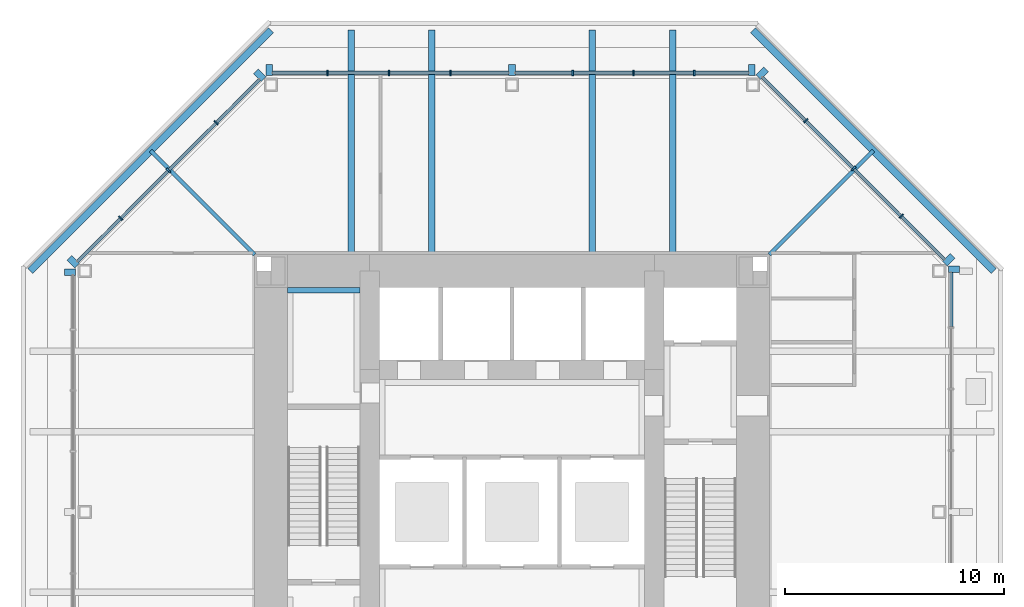
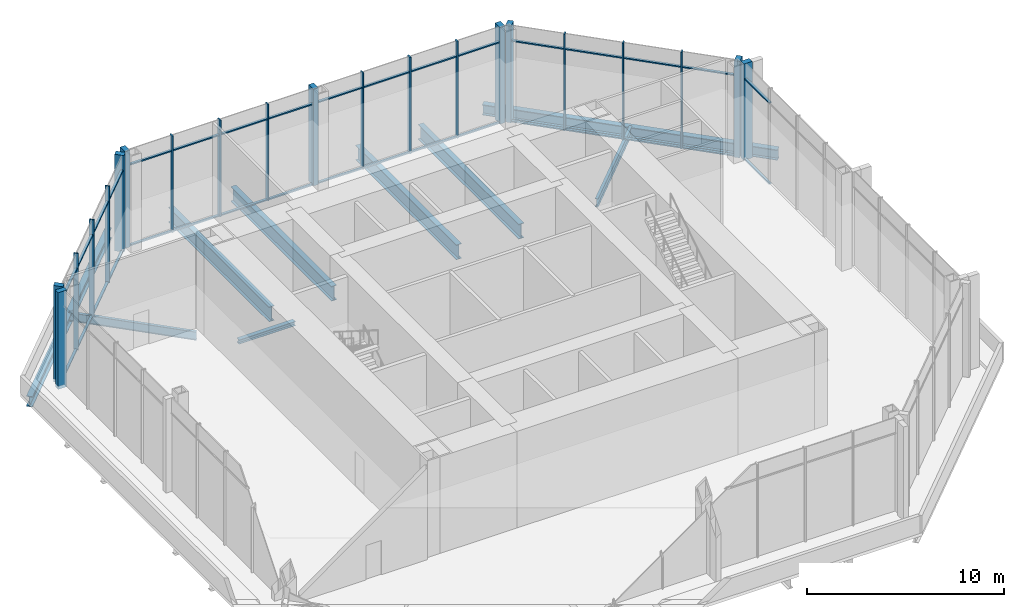
# One storey, part 4 of 10: 55 members, 9 beams, 5 elements without a shape of their own.
"""IFC4 building model written with IfcOpenShell, lengths in metres."""

import ifcopenshell
import ifcopenshell.guid

model = None  # the IFC model being written
_history = None  # IfcOwnerHistory: only IFC2X3 demands one
_inside = {}  # id of a spatial element -> (the spatial element, [elements in it])
_under = {}  # id of a project, library or spatial element -> (it, [spatial elements below it])
_declared = {}  # id of a project -> (the project, [libraries it declares])
_typed = {}  # id of a type object -> (the type object, [elements of that type])
_made_of = {}  # id of a material, layer set ... -> (it, [elements and type objects made of it])


def new_model(schema):
    """Start an empty IFC model of exactly this schema.

    Asked for "IFC4X3", IfcOpenShell would pick the latest addendum, in which some entities
    have other attributes; the version numbers below select the first issue.
    IFC2X3 requires an IfcOwnerHistory on every rooted entity: one is made here for all.
    """
    global model, _history
    if schema == "IFC4X3":
        model = ifcopenshell.file(schema_version=(4, 3, 0, 0))
    else:
        model = ifcopenshell.file(schema=schema)
    _inside.clear()
    _under.clear()
    _declared.clear()
    _typed.clear()
    _made_of.clear()
    _history = None
    if model.schema == "IFC2X3":
        org = make("IfcOrganization", Name="unknown")
        user = make(
            "IfcPersonAndOrganization",
            ThePerson=make("IfcPerson", FamilyName="unknown"),
            TheOrganization=org,
        )
        app = make(
            "IfcApplication",
            ApplicationDeveloper=org,
            Version="unknown",
            ApplicationFullName="unknown",
            ApplicationIdentifier="unknown",
        )
        _history = make(
            "IfcOwnerHistory",
            OwningUser=user,
            OwningApplication=app,
            ChangeAction="ADDED",
            CreationDate=0,
        )
    return model


def make(cls, **values):
    """One entity of the class cls with the attributes given. An attribute that is None is left unset."""
    return model.create_entity(
        cls, **{name: value for name, value in values.items() if value is not None}
    )


def rooted(cls, **values):
    """An entity with a GlobalId (a new one), such as an element, a storey or a relation."""
    return make(cls, GlobalId=ifcopenshell.guid.new(), OwnerHistory=_history, **values)


def si_unit(unit_type, name, prefix=None):
    """IfcSIUnit, for example si_unit("LENGTHUNIT", "METRE", prefix="MILLI")."""
    return make("IfcSIUnit", UnitType=unit_type, Prefix=prefix, Name=name)


def assignment(units):
    """IfcUnitAssignment: the units of a project."""
    return None if units is None else make("IfcUnitAssignment", Units=units)


def point(xyz):
    """IfcCartesianPoint."""
    return None if xyz is None else make("IfcCartesianPoint", Coordinates=xyz)


def direction(xyz):
    """IfcDirection."""
    return None if xyz is None else make("IfcDirection", DirectionRatios=xyz)


def frame(location, z_axis=None, x_axis=None):
    """IfcAxis2Placement3D, a coordinate frame: its origin and axes. An axis left out is left unset."""
    return make(
        "IfcAxis2Placement3D",
        Location=point(location),
        Axis=direction(z_axis),
        RefDirection=direction(x_axis),
    )


def frame_2d(location, x_axis=None):
    """IfcAxis2Placement2D, a coordinate frame in the plane: its origin and x axis."""
    return make(
        "IfcAxis2Placement2D", Location=point(location), RefDirection=direction(x_axis)
    )


def origin():
    """The frame at (0, 0, 0) with its axes left unset."""
    return frame((0.0, 0.0, 0.0))


def origin_2d():
    """The frame at (0, 0) in the plane with its x axis left unset."""
    return frame_2d((0.0, 0.0))


def place(relative_to, where):
    """IfcLocalPlacement: puts the frame where relative to a parent placement (None: the world)."""
    return make(
        "IfcLocalPlacement", PlacementRelTo=relative_to, RelativePlacement=where
    )


def context(
    kind, dimensions, precision=None, world=None, true_north=None, identifier=None
):
    """IfcGeometricRepresentationContext, for example the 3D "Model" context."""
    return make(
        "IfcGeometricRepresentationContext",
        ContextIdentifier=identifier,
        ContextType=kind,
        CoordinateSpaceDimension=dimensions,
        Precision=precision,
        WorldCoordinateSystem=world,
        TrueNorth=true_north,
    )


def subcontext(parent, identifier, kind, view, scale=None):
    """IfcGeometricRepresentationSubContext, for example "Body" below "Model"."""
    return make(
        "IfcGeometricRepresentationSubContext",
        ContextIdentifier=identifier,
        ContextType=kind,
        ParentContext=parent,
        TargetScale=scale,
        TargetView=view,
    )


def project(units=None, contexts=None):
    """IfcProject with its units and contexts."""
    return rooted(
        "IfcProject",
        Name="project",
        RepresentationContexts=contexts,
        UnitsInContext=assignment(units),
    )


def spatial(cls, under=None, at=None, **own):
    """A site, building, storey or space (cls), placed at a placement, below another one or the project."""
    s = rooted(cls, ObjectPlacement=at, **own)
    if under is not None:
        _under.setdefault(under.id(), (under, []))[1].append(s)
    return s


def profile(cls, at=None, kind="AREA", **sizes):
    """A parametric profile (cls). Its sizes go by their IFC names, for example OverallWidth=200.0."""
    return make(cls, ProfileType=kind, Position=at, **sizes)


def rectangle(**sizes):
    """IfcRectangleProfileDef."""
    return profile("IfcRectangleProfileDef", **sizes)


def i_section(**sizes):
    """IfcIShapeProfileDef."""
    return profile("IfcIShapeProfileDef", **sizes)


def extrude(swept, where, along, depth):
    """IfcExtrudedAreaSolid: the profile swept, set in the frame where, extruded along a direction by depth."""
    return make(
        "IfcExtrudedAreaSolid",
        SweptArea=swept,
        Position=where,
        ExtrudedDirection=direction(along),
        Depth=depth,
    )


def shape(context_of_items, identifier, shape_type, items):
    """IfcShapeRepresentation: the items that make up one representation, for example the "Body"."""
    return make(
        "IfcShapeRepresentation",
        ContextOfItems=context_of_items,
        RepresentationIdentifier=identifier,
        RepresentationType=shape_type,
        Items=items,
    )


def material(Name=None, Category=None):
    """IfcMaterial."""
    return make("IfcMaterial", Name=Name, Category=Category)


def material_profile(
    of_material, cross_section, Name=None, Category=None, Priority=None
):
    """IfcMaterialProfile: a cross section and its material."""
    return make(
        "IfcMaterialProfile",
        Name=Name,
        Material=of_material,
        Profile=cross_section,
        Priority=Priority,
        Category=Category,
    )


def profile_set(profiles, Name=None, composite=None):
    """IfcMaterialProfileSet."""
    return make(
        "IfcMaterialProfileSet",
        Name=Name,
        MaterialProfiles=profiles,
        CompositeProfile=composite,
    )


def made_of(thing, what):
    """Note that an element or type object is made of a material, layer set ...; save() writes the relation."""
    if what is not None:
        _made_of.setdefault(what.id(), (what, []))[1].append(thing)
    return thing


def type_object(cls, material=None, **own):
    """A type object (cls), such as IfcWallType, which elements share."""
    return made_of(rooted(cls, **own), material)


def element(
    cls,
    number,
    at=None,
    inside=None,
    cuts=None,
    type_object=None,
    material=None,
    context=None,
    identifier="Body",
    shape_type=None,
    held_by="IfcProductDefinitionShape",
    body=None,
    shapes=None,
    **own,
):
    """One element of the class cls, such as IfcWall. Its Tag is "e" and its number.

    at: its placement. inside: the storey or other place that contains it. cuts: it is an
    opening in that element (IfcRelVoidsElement). A single representation is given by context,
    identifier, shape_type and body (its items); several are given by shapes. held_by: the class
    of the entity that holds the representations. save() writes the other relations.
    """
    e = rooted(cls, Tag="e%d" % number, ObjectPlacement=at, **own)
    if body is not None:
        shapes = [shape(context, identifier, shape_type, body)]
    if shapes is not None:
        e.Representation = make(held_by, Representations=shapes)
    if inside is not None:
        _inside.setdefault(inside.id(), (inside, []))[1].append(e)
    if cuts is not None:
        rooted(
            "IfcRelVoidsElement", RelatingBuildingElement=cuts, RelatedOpeningElement=e
        )
    if type_object is not None:
        _typed.setdefault(type_object.id(), (type_object, []))[1].append(e)
    return made_of(e, material)


def aggregate(whole, parts):
    """IfcRelAggregates: a whole, such as a stair, and the parts it consists of."""
    return rooted("IfcRelAggregates", RelatingObject=whole, RelatedObjects=parts)


def save(model, path):
    """Write the relations noted so far, then the file.

    IfcRelAggregates (storeys below a building ...), IfcRelContainedInSpatialStructure (elements
    in a storey), IfcRelDefinesByType, IfcRelAssociatesMaterial and IfcRelDeclares: one each for
    every whole, place, type object, material and project.
    """
    for whole, parts in _under.values():
        aggregate(whole, parts)
    for where, things in _inside.values():
        rooted(
            "IfcRelContainedInSpatialStructure",
            RelatedElements=things,
            RelatingStructure=where,
        )
    for kind, things in _typed.values():
        rooted("IfcRelDefinesByType", RelatedObjects=things, RelatingType=kind)
    for what, things in _made_of.values():
        rooted("IfcRelAssociatesMaterial", RelatedObjects=things, RelatingMaterial=what)
    for by, libraries in _declared.values():
        rooted("IfcRelDeclares", RelatingContext=by, RelatedDefinitions=libraries)
    model.write(path)


model = new_model("IFC4")

# Units and contexts
model_context = context("Model", 3, precision=1e-05, world=origin(), true_north=direction((0.0, 1.0)))
body_context = subcontext(model_context, "Body", "Model", "MODEL_VIEW")
ifc_project = project(units=[si_unit("LENGTHUNIT", "METRE"), si_unit("AREAUNIT", "SQUARE_METRE"), si_unit("VOLUMEUNIT", "CUBIC_METRE"), si_unit("PLANEANGLEUNIT", "RADIAN"), si_unit("MASSUNIT", "GRAM", prefix="KILO")], contexts=[model_context])

# Site, building, storey
site_placement = place(None, origin())
site = spatial("IfcSite", under=ifc_project, at=site_placement, CompositionType="ELEMENT")
building_placement = place(site_placement, origin())
building = spatial("IfcBuilding", under=site, at=building_placement, Name="Trevanion Tower", CompositionType="ELEMENT")
storey_placement = place(building_placement, frame((0.0, 0.0, 184.699951171875)))
storey = spatial("IfcBuildingStorey", under=building, at=storey_placement, Name="L43", CompositionType="ELEMENT", Elevation=184.699951171875)

# Beams
ifc_material_1 = material(Name="Steel ASTM A992 Grade 50", Category="steel")
ifc_material_profile_1 = material_profile(ifc_material_1, i_section(OverallWidth=0.1650390625, OverallDepth=0.52587890625, WebThickness=0.0087890625, FlangeThickness=0.011474609375, at=origin_2d()), Name="W21X44")
ifc_profile_set_1 = profile_set([ifc_material_profile_1], Name="Steel ASTM A992 Grade 50")
beam_type_1 = type_object("IfcBeamType", Name="B10 W21X44", PredefinedType="BEAM", material=ifc_profile_set_1)
for number, where, z_axis, x_axis, name in (
    (1, (11.75, 11.75, -0.452880859375), (0.707106781187, 0.707106781187, 0.0), (-0.707106781187, 0.707106781187, 0.0), "B10 L43"),
    (2, (-11.75, 11.75, -0.452880859375), (-0.707106781187, 0.707106781187, 0.0), (-0.707106781187, -0.707106781187, 0.0), "B10 L43"),
):
    element("IfcBeam", number, at=place(storey_placement, frame(where, z_axis=z_axis, x_axis=x_axis)), inside=storey, type_object=beam_type_1, Name=name, PredefinedType="BEAM", context=body_context, shape_type="SweptSolid", body=[
        extrude(i_section(OverallWidth=0.1650390625, OverallDepth=0.52587890625, WebThickness=0.0087890625, FlangeThickness=0.011474609375, at=origin_2d()), origin(), (0.0, 0.0, 1.0), 6.717529296875),
    ])
ifc_material_2 = material(Name="Steel ASTM A992 Grade 50", Category="steel")
ifc_material_profile_2 = material_profile(ifc_material_2, i_section(OverallWidth=0.307373046875, OverallDepth=0.922119140625, WebThickness=0.018310546875, FlangeThickness=0.030029296875, at=origin_2d()), Name="W36X182")
ifc_profile_set_2 = profile_set([ifc_material_profile_2], Name="Steel ASTM A992 Grade 50")
beam_type_2 = type_object("IfcBeamType", Name="B9 W36X182", PredefinedType="BEAM", material=ifc_profile_set_2)
for number, where, z_axis, x_axis, name in (
    (3, (7.333251953125, 11.75, -0.65087890625), (0.0, 1.0, 0.0), (-1.0, 0.0, 0.0), "B9 L43"),
    (4, (3.666748046875, 11.75, -0.65087890625), (0.0, 1.0, 0.0), (-1.0, 0.0, 0.0), "B9 L43"),
    (5, (-3.666748046875, 11.75, -0.65087890625), (0.0, 1.0, 0.0), (-1.0, 0.0, 0.0), "B9 L43"),
    (6, (-7.333251953125, 11.75, -0.65087890625), (0.0, 1.0, 0.0), (-1.0, 0.0, 0.0), "B9 L43"),
):
    element("IfcBeam", number, at=place(storey_placement, frame(where, z_axis=z_axis, x_axis=x_axis)), inside=storey, type_object=beam_type_2, Name=name, PredefinedType="BEAM", context=body_context, shape_type="SweptSolid", body=[
        extrude(i_section(OverallWidth=0.307373046875, OverallDepth=0.922119140625, WebThickness=0.018310546875, FlangeThickness=0.030029296875, at=origin_2d()), origin(), (0.0, 0.0, 1.0), 10.25),
    ])

# Curtain wall, members
ifc_material_3 = material(Name="Aluminium and glass", Category="aluminium")
curtain_wall_type = type_object("IfcCurtainWallType", Name="CW3 curtain wall", PredefinedType="USERDEFINED", material=ifc_material_3)
curtain_wall_1_placement = place(storey_placement, origin())
curtain_wall_1 = element("IfcCurtainWall", 7, at=curtain_wall_1_placement, inside=storey, type_object=curtain_wall_type, Name="CW3 L43 1", ObjectType="UNITISED CURTAIN WALL", PredefinedType="USERDEFINED")
ifc_material_4 = material(Name="Aluminium extrusion, anodised bronze", Category="aluminium")
ifc_material_profile_3 = material_profile(ifc_material_4, rectangle(XDim=0.074951171875, YDim=0.25, at=origin_2d()), Name="CW3 mullion")
ifc_profile_set_3 = profile_set([ifc_material_profile_3], Name="Aluminium extrusion, anodised bronze")
member_type_1 = type_object("IfcMemberType", Name="CW3 mullion", PredefinedType="MULLION", material=ifc_profile_set_3)
member_1_placement = place(storey_placement, frame((17.775390625, 13.502197265625, -0.18994140625), z_axis=(0.0, 0.0, 1.0), x_axis=(-0.707106781187, 0.707106781187, 0.0)))
member_1 = element("IfcMember", 8, at=member_1_placement, type_object=member_type_1, Name="CW3 mullion 2", PredefinedType="MULLION", context=body_context, shape_type="SweptSolid", body=[
    extrude(rectangle(XDim=0.074951171875, YDim=0.25, at=origin_2d()), origin(), (0.0, 0.0, 1.0), 6.0),
])
member_2_placement = place(storey_placement, frame((15.593017578125, 15.684814453125, -0.18994140625), z_axis=(0.0, 0.0, 1.0), x_axis=(-0.707106781187, 0.707106781187, 0.0)))
member_2 = element("IfcMember", 9, at=member_2_placement, type_object=member_type_1, Name="CW3 mullion 3", PredefinedType="MULLION", context=body_context, shape_type="SweptSolid", body=[
    extrude(rectangle(XDim=0.074951171875, YDim=0.25, at=origin_2d()), origin(), (0.0, 0.0, 1.0), 6.0),
])
member_3_placement = place(storey_placement, frame((13.410400390625, 17.867431640625, -0.18994140625), z_axis=(0.0, 0.0, 1.0), x_axis=(-0.707106781187, 0.707106781187, 0.0)))
member_3 = element("IfcMember", 10, at=member_3_placement, type_object=member_type_1, Name="CW3 mullion 4", PredefinedType="MULLION", context=body_context, shape_type="SweptSolid", body=[
    extrude(rectangle(XDim=0.074951171875, YDim=0.25, at=origin_2d()), origin(), (0.0, 0.0, 1.0), 6.0),
])

curtain_wall_2_placement = place(storey_placement, origin())
curtain_wall_2 = element("IfcCurtainWall", 11, at=curtain_wall_2_placement, inside=storey, type_object=curtain_wall_type, Name="CW3 L43 2", ObjectType="UNITISED CURTAIN WALL", PredefinedType="USERDEFINED")
member_4_placement = place(storey_placement, frame((8.323486328125, 20.050048828125, -0.18994140625), z_axis=(0.0, 0.0, 1.0), x_axis=(-1.0, 0.0, 0.0)))
member_4 = element("IfcMember", 12, at=member_4_placement, type_object=member_type_1, Name="CW3 mullion 2", PredefinedType="MULLION", context=body_context, shape_type="SweptSolid", body=[
    extrude(rectangle(XDim=0.074951171875, YDim=0.25, at=origin_2d()), origin(), (0.0, 0.0, 1.0), 6.0),
])
member_5_placement = place(storey_placement, frame((5.548828125, 20.050048828125, -0.18994140625), z_axis=(0.0, 0.0, 1.0), x_axis=(-1.0, 0.0, 0.0)))
member_5 = element("IfcMember", 13, at=member_5_placement, type_object=member_type_1, Name="CW3 mullion 3", PredefinedType="MULLION", context=body_context, shape_type="SweptSolid", body=[
    extrude(rectangle(XDim=0.074951171875, YDim=0.25, at=origin_2d()), origin(), (0.0, 0.0, 1.0), 6.0),
])
member_6_placement = place(storey_placement, frame((2.7744140625, 20.050048828125, -0.18994140625), z_axis=(0.0, 0.0, 1.0), x_axis=(-1.0, 0.0, 0.0)))
member_6 = element("IfcMember", 14, at=member_6_placement, type_object=member_type_1, Name="CW3 mullion 4", PredefinedType="MULLION", context=body_context, shape_type="SweptSolid", body=[
    extrude(rectangle(XDim=0.074951171875, YDim=0.25, at=origin_2d()), origin(), (0.0, 0.0, 1.0), 6.0),
])
member_7_placement = place(storey_placement, frame((-2.806884765625, 20.050048828125, -0.18994140625), z_axis=(0.0, 0.0, 1.0), x_axis=(-1.0, 0.0, 0.0)))
member_7 = element("IfcMember", 15, at=member_7_placement, type_object=member_type_1, Name="CW3 mullion 6", PredefinedType="MULLION", context=body_context, shape_type="SweptSolid", body=[
    extrude(rectangle(XDim=0.074951171875, YDim=0.25, at=origin_2d()), origin(), (0.0, 0.0, 1.0), 6.0),
])
member_8_placement = place(storey_placement, frame((-5.614013671875, 20.050048828125, -0.18994140625), z_axis=(0.0, 0.0, 1.0), x_axis=(-1.0, 0.0, 0.0)))
member_8 = element("IfcMember", 16, at=member_8_placement, type_object=member_type_1, Name="CW3 mullion 7", PredefinedType="MULLION", context=body_context, shape_type="SweptSolid", body=[
    extrude(rectangle(XDim=0.074951171875, YDim=0.25, at=origin_2d()), origin(), (0.0, 0.0, 1.0), 6.0),
])
member_9_placement = place(storey_placement, frame((-8.4208984375, 20.050048828125, -0.18994140625), z_axis=(0.0, 0.0, 1.0), x_axis=(-1.0, 0.0, 0.0)))
member_9 = element("IfcMember", 17, at=member_9_placement, type_object=member_type_1, Name="CW3 mullion 8", PredefinedType="MULLION", context=body_context, shape_type="SweptSolid", body=[
    extrude(rectangle(XDim=0.074951171875, YDim=0.25, at=origin_2d()), origin(), (0.0, 0.0, 1.0), 6.0),
])

curtain_wall_3_placement = place(storey_placement, origin())
curtain_wall_3 = element("IfcCurtainWall", 18, at=curtain_wall_3_placement, inside=storey, type_object=curtain_wall_type, Name="CW3 L43 3", ObjectType="UNITISED CURTAIN WALL", PredefinedType="USERDEFINED")
member_10_placement = place(storey_placement, frame((-13.502197265625, 17.775390625, -0.18994140625), z_axis=(0.0, 0.0, 1.0), x_axis=(-0.707106781187, -0.707106781187, 0.0)))
member_10 = element("IfcMember", 19, at=member_10_placement, type_object=member_type_1, Name="CW3 mullion 2", PredefinedType="MULLION", context=body_context, shape_type="SweptSolid", body=[
    extrude(rectangle(XDim=0.074951171875, YDim=0.25, at=origin_2d()), origin(), (0.0, 0.0, 1.0), 6.0),
])
member_11_placement = place(storey_placement, frame((-15.684814453125, 15.593017578125, -0.18994140625), z_axis=(0.0, 0.0, 1.0), x_axis=(-0.707106781187, -0.707106781187, 0.0)))
member_11 = element("IfcMember", 20, at=member_11_placement, type_object=member_type_1, Name="CW3 mullion 3", PredefinedType="MULLION", context=body_context, shape_type="SweptSolid", body=[
    extrude(rectangle(XDim=0.074951171875, YDim=0.25, at=origin_2d()), origin(), (0.0, 0.0, 1.0), 6.0),
])
member_12_placement = place(storey_placement, frame((-17.867431640625, 13.410400390625, -0.18994140625), z_axis=(0.0, 0.0, 1.0), x_axis=(-0.707106781187, -0.707106781187, 0.0)))
member_12 = element("IfcMember", 21, at=member_12_placement, type_object=member_type_1, Name="CW3 mullion 4", PredefinedType="MULLION", context=body_context, shape_type="SweptSolid", body=[
    extrude(rectangle(XDim=0.074951171875, YDim=0.25, at=origin_2d()), origin(), (0.0, 0.0, 1.0), 6.0),
])

# Curtain wall, member
curtain_wall_4_placement = place(storey_placement, origin())
curtain_wall_4 = element("IfcCurtainWall", 22, at=curtain_wall_4_placement, inside=storey, type_object=curtain_wall_type, Name="CW3 L43 0", ObjectType="UNITISED CURTAIN WALL", PredefinedType="USERDEFINED")
ifc_material_5 = material(Name="Aluminium extrusion, anodised bronze", Category="aluminium")
ifc_material_profile_4 = material_profile(ifc_material_5, rectangle(XDim=0.300048828125, YDim=0.5, at=origin_2d()), Name="CW3 pier mullion")
ifc_profile_set_4 = profile_set([ifc_material_profile_4], Name="Aluminium extrusion, anodised bronze")
member_type_2 = type_object("IfcMemberType", Name="CW3 pier mullion", PredefinedType="MULLION", material=ifc_profile_set_4)
member_13_placement = place(storey_placement, frame((20.175048828125, 11.077880859375, -0.18994140625), z_axis=(0.0, 0.0, 1.0), x_axis=(0.0, 1.0, 0.0)))
member_13 = element("IfcMember", 23, at=member_13_placement, type_object=member_type_2, Name="CW3 pier mullion 9", PredefinedType="MULLION", context=body_context, shape_type="SweptSolid", body=[
    extrude(rectangle(XDim=0.300048828125, YDim=0.5, at=origin_2d()), origin(), (0.0, 0.0, 1.0), 6.0),
])

# Member
member_14_placement = place(storey_placement, frame((19.9404296875, 11.51416015625, -0.18994140625), z_axis=(0.0, 0.0, 1.0), x_axis=(-0.707106781187, 0.707106781187, 0.0)))
member_14 = element("IfcMember", 24, at=member_14_placement, type_object=member_type_2, Name="CW3 pier mullion 1", PredefinedType="MULLION", context=body_context, shape_type="SweptSolid", body=[
    extrude(rectangle(XDim=0.300048828125, YDim=0.5, at=origin_2d()), origin(), (0.0, 0.0, 1.0), 6.0),
])

member_15_placement = place(storey_placement, frame((11.42236328125, 20.0322265625, -0.18994140625), z_axis=(0.0, 0.0, 1.0), x_axis=(-0.707106781187, 0.707106781187, 0.0)))
member_15 = element("IfcMember", 25, at=member_15_placement, type_object=member_type_2, Name="CW3 pier mullion 5", PredefinedType="MULLION", context=body_context, shape_type="SweptSolid", body=[
    extrude(rectangle(XDim=0.300048828125, YDim=0.5, at=origin_2d()), origin(), (0.0, 0.0, 1.0), 6.0),
])

member_16_placement = place(storey_placement, frame((10.94775390625, 20.175048828125, -0.18994140625), z_axis=(0.0, 0.0, 1.0), x_axis=(-1.0, 0.0, 0.0)))
member_16 = element("IfcMember", 26, at=member_16_placement, type_object=member_type_2, Name="CW3 pier mullion 1", PredefinedType="MULLION", context=body_context, shape_type="SweptSolid", body=[
    extrude(rectangle(XDim=0.300048828125, YDim=0.5, at=origin_2d()), origin(), (0.0, 0.0, 1.0), 6.0),
])

member_17_placement = place(storey_placement, frame((0.0, 20.175048828125, -0.18994140625), z_axis=(0.0, 0.0, 1.0), x_axis=(-1.0, 0.0, 0.0)))
member_17 = element("IfcMember", 27, at=member_17_placement, type_object=member_type_2, Name="CW3 pier mullion 5", PredefinedType="MULLION", context=body_context, shape_type="SweptSolid", body=[
    extrude(rectangle(XDim=0.300048828125, YDim=0.5, at=origin_2d()), origin(), (0.0, 0.0, 1.0), 6.0),
])

member_18_placement = place(storey_placement, frame((-11.077880859375, 20.175048828125, -0.18994140625), z_axis=(0.0, 0.0, 1.0), x_axis=(-1.0, 0.0, 0.0)))
member_18 = element("IfcMember", 28, at=member_18_placement, type_object=member_type_2, Name="CW3 pier mullion 9", PredefinedType="MULLION", context=body_context, shape_type="SweptSolid", body=[
    extrude(rectangle(XDim=0.300048828125, YDim=0.5, at=origin_2d()), origin(), (0.0, 0.0, 1.0), 6.0),
])

member_19_placement = place(storey_placement, frame((-11.51416015625, 19.9404296875, -0.18994140625), z_axis=(0.0, 0.0, 1.0), x_axis=(-0.707106781187, -0.707106781187, 0.0)))
member_19 = element("IfcMember", 29, at=member_19_placement, type_object=member_type_2, Name="CW3 pier mullion 1", PredefinedType="MULLION", context=body_context, shape_type="SweptSolid", body=[
    extrude(rectangle(XDim=0.300048828125, YDim=0.5, at=origin_2d()), origin(), (0.0, 0.0, 1.0), 6.0),
])

member_20_placement = place(storey_placement, frame((-20.0322265625, 11.42236328125, -0.18994140625), z_axis=(0.0, 0.0, 1.0), x_axis=(-0.707106781187, -0.707106781187, 0.0)))
member_20 = element("IfcMember", 30, at=member_20_placement, type_object=member_type_2, Name="CW3 pier mullion 5", PredefinedType="MULLION", context=body_context, shape_type="SweptSolid", body=[
    extrude(rectangle(XDim=0.300048828125, YDim=0.5, at=origin_2d()), origin(), (0.0, 0.0, 1.0), 6.0),
])

# Curtain wall, member
curtain_wall_5_placement = place(storey_placement, origin())
curtain_wall_5 = element("IfcCurtainWall", 31, at=curtain_wall_5_placement, inside=storey, type_object=curtain_wall_type, Name="CW3 L43 4", ObjectType="UNITISED CURTAIN WALL", PredefinedType="USERDEFINED")
member_21_placement = place(storey_placement, frame((-20.175048828125, 10.94775390625, -0.18994140625), z_axis=(0.0, 0.0, 1.0), x_axis=(0.0, -1.0, 0.0)))
member_21 = element("IfcMember", 32, at=member_21_placement, type_object=member_type_2, Name="CW3 pier mullion 1", PredefinedType="MULLION", context=body_context, shape_type="SweptSolid", body=[
    extrude(rectangle(XDim=0.300048828125, YDim=0.5, at=origin_2d()), origin(), (0.0, 0.0, 1.0), 6.0),
])
aggregate(curtain_wall_5, [member_21])

# Member
ifc_material_6 = material(Name="Aluminium extrusion, anodised bronze", Category="aluminium")
ifc_material_profile_5 = material_profile(ifc_material_6, rectangle(XDim=0.14990234375, YDim=0.074951171875, at=origin_2d()), Name="CW3 transom")
ifc_profile_set_5 = profile_set([ifc_material_profile_5], Name="Aluminium extrusion, anodised bronze")
member_type_3 = type_object("IfcMemberType", Name="CW3 transom", PredefinedType="USERDEFINED", material=ifc_profile_set_5)
member_22_placement = place(storey_placement, frame((20.050048828125, 8.45849609375, -0.15234375), z_axis=(0.0, 1.0, 0.0), x_axis=(-1.0, 0.0, 0.0)))
member_22 = element("IfcMember", 33, at=member_22_placement, type_object=member_type_3, Name="CW3 transom 8.1", ObjectType="TRANSOM", PredefinedType="USERDEFINED", context=body_context, shape_type="SweptSolid", body=[
    extrude(rectangle(XDim=0.14990234375, YDim=0.074951171875, at=origin_2d()), origin(), (0.0, 0.0, 1.0), 2.46923828125),
])

member_23_placement = place(storey_placement, frame((20.050048828125, 8.45849609375, 4.860107421875), z_axis=(0.0, 1.0, 0.0), x_axis=(-1.0, 0.0, 0.0)))
member_23 = element("IfcMember", 34, at=member_23_placement, type_object=member_type_3, Name="CW3 transom 8.2", ObjectType="TRANSOM", PredefinedType="USERDEFINED", context=body_context, shape_type="SweptSolid", body=[
    extrude(rectangle(XDim=0.14990234375, YDim=0.074951171875, at=origin_2d()), origin(), (0.0, 0.0, 1.0), 2.46923828125),
])

aggregate(curtain_wall_4, [member_13, member_22, member_23])

member_24_placement = place(storey_placement, frame((19.745849609375, 11.531982421875, -0.15234375), z_axis=(-0.707106781187, 0.707106781187, 0.0), x_axis=(-0.707106781187, -0.707106781187, 0.0)))
member_24 = element("IfcMember", 35, at=member_24_placement, type_object=member_type_3, Name="CW3 transom 1.1", ObjectType="TRANSOM", PredefinedType="USERDEFINED", context=body_context, shape_type="SweptSolid", body=[
    extrude(rectangle(XDim=0.14990234375, YDim=0.074951171875, at=origin_2d()), origin(), (0.0, 0.0, 1.0), 2.7490234375),
])

member_25_placement = place(storey_placement, frame((19.745849609375, 11.531982421875, 4.860107421875), z_axis=(-0.707106781187, 0.707106781187, 0.0), x_axis=(-0.707106781187, -0.707106781187, 0.0)))
member_25 = element("IfcMember", 36, at=member_25_placement, type_object=member_type_3, Name="CW3 transom 1.2", ObjectType="TRANSOM", PredefinedType="USERDEFINED", context=body_context, shape_type="SweptSolid", body=[
    extrude(rectangle(XDim=0.14990234375, YDim=0.074951171875, at=origin_2d()), origin(), (0.0, 0.0, 1.0), 2.7490234375),
])

member_26_placement = place(storey_placement, frame((17.7490234375, 13.52880859375, -0.15234375), z_axis=(-0.707106781187, 0.707106781187, 0.0), x_axis=(-0.707106781187, -0.707106781187, 0.0)))
member_26 = element("IfcMember", 37, at=member_26_placement, type_object=member_type_3, Name="CW3 transom 2.1", ObjectType="TRANSOM", PredefinedType="USERDEFINED", context=body_context, shape_type="SweptSolid", body=[
    extrude(rectangle(XDim=0.14990234375, YDim=0.074951171875, at=origin_2d()), origin(), (0.0, 0.0, 1.0), 3.01171875),
])

member_27_placement = place(storey_placement, frame((17.7490234375, 13.52880859375, 4.860107421875), z_axis=(-0.707106781187, 0.707106781187, 0.0), x_axis=(-0.707106781187, -0.707106781187, 0.0)))
member_27 = element("IfcMember", 38, at=member_27_placement, type_object=member_type_3, Name="CW3 transom 2.2", ObjectType="TRANSOM", PredefinedType="USERDEFINED", context=body_context, shape_type="SweptSolid", body=[
    extrude(rectangle(XDim=0.14990234375, YDim=0.074951171875, at=origin_2d()), origin(), (0.0, 0.0, 1.0), 3.01171875),
])

member_28_placement = place(storey_placement, frame((15.56640625, 15.71142578125, -0.15234375), z_axis=(-0.707106781187, 0.707106781187, 0.0), x_axis=(-0.707106781187, -0.707106781187, 0.0)))
member_28 = element("IfcMember", 39, at=member_28_placement, type_object=member_type_3, Name="CW3 transom 3.1", ObjectType="TRANSOM", PredefinedType="USERDEFINED", context=body_context, shape_type="SweptSolid", body=[
    extrude(rectangle(XDim=0.14990234375, YDim=0.074951171875, at=origin_2d()), origin(), (0.0, 0.0, 1.0), 3.011474609375),
])

member_29_placement = place(storey_placement, frame((15.56640625, 15.71142578125, 4.860107421875), z_axis=(-0.707106781187, 0.707106781187, 0.0), x_axis=(-0.707106781187, -0.707106781187, 0.0)))
member_29 = element("IfcMember", 40, at=member_29_placement, type_object=member_type_3, Name="CW3 transom 3.2", ObjectType="TRANSOM", PredefinedType="USERDEFINED", context=body_context, shape_type="SweptSolid", body=[
    extrude(rectangle(XDim=0.14990234375, YDim=0.074951171875, at=origin_2d()), origin(), (0.0, 0.0, 1.0), 3.011474609375),
])

member_30_placement = place(storey_placement, frame((13.3837890625, 17.89404296875, -0.15234375), z_axis=(-0.707106781187, 0.707106781187, 0.0), x_axis=(-0.707106781187, -0.707106781187, 0.0)))
member_30 = element("IfcMember", 41, at=member_30_placement, type_object=member_type_3, Name="CW3 transom 4.1", ObjectType="TRANSOM", PredefinedType="USERDEFINED", context=body_context, shape_type="SweptSolid", body=[
    extrude(rectangle(XDim=0.14990234375, YDim=0.074951171875, at=origin_2d()), origin(), (0.0, 0.0, 1.0), 2.7490234375),
])

member_31_placement = place(storey_placement, frame((13.3837890625, 17.89404296875, 4.860107421875), z_axis=(-0.707106781187, 0.707106781187, 0.0), x_axis=(-0.707106781187, -0.707106781187, 0.0)))
member_31 = element("IfcMember", 42, at=member_31_placement, type_object=member_type_3, Name="CW3 transom 4.2", ObjectType="TRANSOM", PredefinedType="USERDEFINED", context=body_context, shape_type="SweptSolid", body=[
    extrude(rectangle(XDim=0.14990234375, YDim=0.074951171875, at=origin_2d()), origin(), (0.0, 0.0, 1.0), 2.7490234375),
])

aggregate(curtain_wall_1, [member_14, member_1, member_2, member_3, member_15, member_24, member_25, member_26, member_27, member_28, member_29, member_30, member_31])

member_32_placement = place(storey_placement, frame((10.7978515625, 20.050048828125, -0.15234375), z_axis=(-1.0, 0.0, 0.0), x_axis=(0.0, -1.0, 0.0)))
member_32 = element("IfcMember", 43, at=member_32_placement, type_object=member_type_3, Name="CW3 transom 1.1", ObjectType="TRANSOM", PredefinedType="USERDEFINED", context=body_context, shape_type="SweptSolid", body=[
    extrude(rectangle(XDim=0.14990234375, YDim=0.074951171875, at=origin_2d()), origin(), (0.0, 0.0, 1.0), 2.43701171875),
])

member_33_placement = place(storey_placement, frame((10.7978515625, 20.050048828125, 4.860107421875), z_axis=(-1.0, 0.0, 0.0), x_axis=(0.0, -1.0, 0.0)))
member_33 = element("IfcMember", 44, at=member_33_placement, type_object=member_type_3, Name="CW3 transom 1.2", ObjectType="TRANSOM", PredefinedType="USERDEFINED", context=body_context, shape_type="SweptSolid", body=[
    extrude(rectangle(XDim=0.14990234375, YDim=0.074951171875, at=origin_2d()), origin(), (0.0, 0.0, 1.0), 2.43701171875),
])

member_34_placement = place(storey_placement, frame((8.285888671875, 20.050048828125, -0.15234375), z_axis=(-1.0, 0.0, 0.0), x_axis=(0.0, -1.0, 0.0)))
member_34 = element("IfcMember", 45, at=member_34_placement, type_object=member_type_3, Name="CW3 transom 2.1", ObjectType="TRANSOM", PredefinedType="USERDEFINED", context=body_context, shape_type="SweptSolid", body=[
    extrude(rectangle(XDim=0.14990234375, YDim=0.074951171875, at=origin_2d()), origin(), (0.0, 0.0, 1.0), 2.699462890625),
])

member_35_placement = place(storey_placement, frame((8.285888671875, 20.050048828125, 4.860107421875), z_axis=(-1.0, 0.0, 0.0), x_axis=(0.0, -1.0, 0.0)))
member_35 = element("IfcMember", 46, at=member_35_placement, type_object=member_type_3, Name="CW3 transom 2.2", ObjectType="TRANSOM", PredefinedType="USERDEFINED", context=body_context, shape_type="SweptSolid", body=[
    extrude(rectangle(XDim=0.14990234375, YDim=0.074951171875, at=origin_2d()), origin(), (0.0, 0.0, 1.0), 2.699462890625),
])

member_36_placement = place(storey_placement, frame((5.511474609375, 20.050048828125, -0.15234375), z_axis=(-1.0, 0.0, 0.0), x_axis=(0.0, -1.0, 0.0)))
member_36 = element("IfcMember", 47, at=member_36_placement, type_object=member_type_3, Name="CW3 transom 3.1", ObjectType="TRANSOM", PredefinedType="USERDEFINED", context=body_context, shape_type="SweptSolid", body=[
    extrude(rectangle(XDim=0.14990234375, YDim=0.074951171875, at=origin_2d()), origin(), (0.0, 0.0, 1.0), 2.699462890625),
])

member_37_placement = place(storey_placement, frame((5.511474609375, 20.050048828125, 4.860107421875), z_axis=(-1.0, 0.0, 0.0), x_axis=(0.0, -1.0, 0.0)))
member_37 = element("IfcMember", 48, at=member_37_placement, type_object=member_type_3, Name="CW3 transom 3.2", ObjectType="TRANSOM", PredefinedType="USERDEFINED", context=body_context, shape_type="SweptSolid", body=[
    extrude(rectangle(XDim=0.14990234375, YDim=0.074951171875, at=origin_2d()), origin(), (0.0, 0.0, 1.0), 2.699462890625),
])

member_38_placement = place(storey_placement, frame((2.737060546875, 20.050048828125, -0.15234375), z_axis=(-1.0, 0.0, 0.0), x_axis=(0.0, -1.0, 0.0)))
member_38 = element("IfcMember", 49, at=member_38_placement, type_object=member_type_3, Name="CW3 transom 4.1", ObjectType="TRANSOM", PredefinedType="USERDEFINED", context=body_context, shape_type="SweptSolid", body=[
    extrude(rectangle(XDim=0.14990234375, YDim=0.074951171875, at=origin_2d()), origin(), (0.0, 0.0, 1.0), 2.587158203125),
])

member_39_placement = place(storey_placement, frame((2.737060546875, 20.050048828125, 4.860107421875), z_axis=(-1.0, 0.0, 0.0), x_axis=(0.0, -1.0, 0.0)))
member_39 = element("IfcMember", 50, at=member_39_placement, type_object=member_type_3, Name="CW3 transom 4.2", ObjectType="TRANSOM", PredefinedType="USERDEFINED", context=body_context, shape_type="SweptSolid", body=[
    extrude(rectangle(XDim=0.14990234375, YDim=0.074951171875, at=origin_2d()), origin(), (0.0, 0.0, 1.0), 2.587158203125),
])

member_40_placement = place(storey_placement, frame((-0.14990234375, 20.050048828125, -0.15234375), z_axis=(-1.0, 0.0, 0.0), x_axis=(0.0, -1.0, 0.0)))
member_40 = element("IfcMember", 51, at=member_40_placement, type_object=member_type_3, Name="CW3 transom 5.1", ObjectType="TRANSOM", PredefinedType="USERDEFINED", context=body_context, shape_type="SweptSolid", body=[
    extrude(rectangle(XDim=0.14990234375, YDim=0.074951171875, at=origin_2d()), origin(), (0.0, 0.0, 1.0), 2.619384765625),
])

member_41_placement = place(storey_placement, frame((-0.14990234375, 20.050048828125, 4.860107421875), z_axis=(-1.0, 0.0, 0.0), x_axis=(0.0, -1.0, 0.0)))
member_41 = element("IfcMember", 52, at=member_41_placement, type_object=member_type_3, Name="CW3 transom 5.2", ObjectType="TRANSOM", PredefinedType="USERDEFINED", context=body_context, shape_type="SweptSolid", body=[
    extrude(rectangle(XDim=0.14990234375, YDim=0.074951171875, at=origin_2d()), origin(), (0.0, 0.0, 1.0), 2.619384765625),
])

member_42_placement = place(storey_placement, frame((-2.844482421875, 20.050048828125, -0.15234375), z_axis=(-1.0, 0.0, 0.0), x_axis=(0.0, -1.0, 0.0)))
member_42 = element("IfcMember", 53, at=member_42_placement, type_object=member_type_3, Name="CW3 transom 6.1", ObjectType="TRANSOM", PredefinedType="USERDEFINED", context=body_context, shape_type="SweptSolid", body=[
    extrude(rectangle(XDim=0.14990234375, YDim=0.074951171875, at=origin_2d()), origin(), (0.0, 0.0, 1.0), 2.73193359375),
])

member_43_placement = place(storey_placement, frame((-2.844482421875, 20.050048828125, 4.860107421875), z_axis=(-1.0, 0.0, 0.0), x_axis=(0.0, -1.0, 0.0)))
member_43 = element("IfcMember", 54, at=member_43_placement, type_object=member_type_3, Name="CW3 transom 6.2", ObjectType="TRANSOM", PredefinedType="USERDEFINED", context=body_context, shape_type="SweptSolid", body=[
    extrude(rectangle(XDim=0.14990234375, YDim=0.074951171875, at=origin_2d()), origin(), (0.0, 0.0, 1.0), 2.73193359375),
])

member_44_placement = place(storey_placement, frame((-5.6513671875, 20.050048828125, -0.15234375), z_axis=(-1.0, 0.0, 0.0), x_axis=(0.0, -1.0, 0.0)))
member_44 = element("IfcMember", 55, at=member_44_placement, type_object=member_type_3, Name="CW3 transom 7.1", ObjectType="TRANSOM", PredefinedType="USERDEFINED", context=body_context, shape_type="SweptSolid", body=[
    extrude(rectangle(XDim=0.14990234375, YDim=0.074951171875, at=origin_2d()), origin(), (0.0, 0.0, 1.0), 2.73193359375),
])

member_45_placement = place(storey_placement, frame((-5.6513671875, 20.050048828125, 4.860107421875), z_axis=(-1.0, 0.0, 0.0), x_axis=(0.0, -1.0, 0.0)))
member_45 = element("IfcMember", 56, at=member_45_placement, type_object=member_type_3, Name="CW3 transom 7.2", ObjectType="TRANSOM", PredefinedType="USERDEFINED", context=body_context, shape_type="SweptSolid", body=[
    extrude(rectangle(XDim=0.14990234375, YDim=0.074951171875, at=origin_2d()), origin(), (0.0, 0.0, 1.0), 2.73193359375),
])

member_46_placement = place(storey_placement, frame((-8.45849609375, 20.050048828125, -0.15234375), z_axis=(-1.0, 0.0, 0.0), x_axis=(0.0, -1.0, 0.0)))
member_46 = element("IfcMember", 57, at=member_46_placement, type_object=member_type_3, Name="CW3 transom 8.1", ObjectType="TRANSOM", PredefinedType="USERDEFINED", context=body_context, shape_type="SweptSolid", body=[
    extrude(rectangle(XDim=0.14990234375, YDim=0.074951171875, at=origin_2d()), origin(), (0.0, 0.0, 1.0), 2.46923828125),
])

member_47_placement = place(storey_placement, frame((-8.45849609375, 20.050048828125, 4.860107421875), z_axis=(-1.0, 0.0, 0.0), x_axis=(0.0, -1.0, 0.0)))
member_47 = element("IfcMember", 58, at=member_47_placement, type_object=member_type_3, Name="CW3 transom 8.2", ObjectType="TRANSOM", PredefinedType="USERDEFINED", context=body_context, shape_type="SweptSolid", body=[
    extrude(rectangle(XDim=0.14990234375, YDim=0.074951171875, at=origin_2d()), origin(), (0.0, 0.0, 1.0), 2.46923828125),
])

aggregate(curtain_wall_2, [member_16, member_4, member_5, member_6, member_17, member_7, member_8, member_9, member_18, member_32, member_33, member_34, member_35, member_36, member_37, member_38, member_39, member_40, member_41, member_42, member_43, member_44, member_45, member_46, member_47])

member_48_placement = place(storey_placement, frame((-11.531982421875, 19.745849609375, -0.15234375), z_axis=(-0.707106781187, -0.707106781187, 0.0), x_axis=(0.707106781187, -0.707106781187, 0.0)))
member_48 = element("IfcMember", 59, at=member_48_placement, type_object=member_type_3, Name="CW3 transom 1.1", ObjectType="TRANSOM", PredefinedType="USERDEFINED", context=body_context, shape_type="SweptSolid", body=[
    extrude(rectangle(XDim=0.14990234375, YDim=0.074951171875, at=origin_2d()), origin(), (0.0, 0.0, 1.0), 2.7490234375),
])

member_49_placement = place(storey_placement, frame((-11.531982421875, 19.745849609375, 4.860107421875), z_axis=(-0.707106781187, -0.707106781187, 0.0), x_axis=(0.707106781187, -0.707106781187, 0.0)))
member_49 = element("IfcMember", 60, at=member_49_placement, type_object=member_type_3, Name="CW3 transom 1.2", ObjectType="TRANSOM", PredefinedType="USERDEFINED", context=body_context, shape_type="SweptSolid", body=[
    extrude(rectangle(XDim=0.14990234375, YDim=0.074951171875, at=origin_2d()), origin(), (0.0, 0.0, 1.0), 2.7490234375),
])

member_50_placement = place(storey_placement, frame((-13.52880859375, 17.7490234375, -0.15234375), z_axis=(-0.707106781187, -0.707106781187, 0.0), x_axis=(0.707106781187, -0.707106781187, 0.0)))
member_50 = element("IfcMember", 61, at=member_50_placement, type_object=member_type_3, Name="CW3 transom 2.1", ObjectType="TRANSOM", PredefinedType="USERDEFINED", context=body_context, shape_type="SweptSolid", body=[
    extrude(rectangle(XDim=0.14990234375, YDim=0.074951171875, at=origin_2d()), origin(), (0.0, 0.0, 1.0), 3.01171875),
])

member_51_placement = place(storey_placement, frame((-13.52880859375, 17.7490234375, 4.860107421875), z_axis=(-0.707106781187, -0.707106781187, 0.0), x_axis=(0.707106781187, -0.707106781187, 0.0)))
member_51 = element("IfcMember", 62, at=member_51_placement, type_object=member_type_3, Name="CW3 transom 2.2", ObjectType="TRANSOM", PredefinedType="USERDEFINED", context=body_context, shape_type="SweptSolid", body=[
    extrude(rectangle(XDim=0.14990234375, YDim=0.074951171875, at=origin_2d()), origin(), (0.0, 0.0, 1.0), 3.01171875),
])

member_52_placement = place(storey_placement, frame((-15.71142578125, 15.56640625, -0.15234375), z_axis=(-0.707106781187, -0.707106781187, 0.0), x_axis=(0.707106781187, -0.707106781187, 0.0)))
member_52 = element("IfcMember", 63, at=member_52_placement, type_object=member_type_3, Name="CW3 transom 3.1", ObjectType="TRANSOM", PredefinedType="USERDEFINED", context=body_context, shape_type="SweptSolid", body=[
    extrude(rectangle(XDim=0.14990234375, YDim=0.074951171875, at=origin_2d()), origin(), (0.0, 0.0, 1.0), 3.011474609375),
])

member_53_placement = place(storey_placement, frame((-15.71142578125, 15.56640625, 4.860107421875), z_axis=(-0.707106781187, -0.707106781187, 0.0), x_axis=(0.707106781187, -0.707106781187, 0.0)))
member_53 = element("IfcMember", 64, at=member_53_placement, type_object=member_type_3, Name="CW3 transom 3.2", ObjectType="TRANSOM", PredefinedType="USERDEFINED", context=body_context, shape_type="SweptSolid", body=[
    extrude(rectangle(XDim=0.14990234375, YDim=0.074951171875, at=origin_2d()), origin(), (0.0, 0.0, 1.0), 3.011474609375),
])

member_54_placement = place(storey_placement, frame((-17.89404296875, 13.3837890625, -0.15234375), z_axis=(-0.707106781187, -0.707106781187, 0.0), x_axis=(0.707106781187, -0.707106781187, 0.0)))
member_54 = element("IfcMember", 65, at=member_54_placement, type_object=member_type_3, Name="CW3 transom 4.1", ObjectType="TRANSOM", PredefinedType="USERDEFINED", context=body_context, shape_type="SweptSolid", body=[
    extrude(rectangle(XDim=0.14990234375, YDim=0.074951171875, at=origin_2d()), origin(), (0.0, 0.0, 1.0), 2.7490234375),
])

member_55_placement = place(storey_placement, frame((-17.89404296875, 13.3837890625, 4.860107421875), z_axis=(-0.707106781187, -0.707106781187, 0.0), x_axis=(0.707106781187, -0.707106781187, 0.0)))
member_55 = element("IfcMember", 66, at=member_55_placement, type_object=member_type_3, Name="CW3 transom 4.2", ObjectType="TRANSOM", PredefinedType="USERDEFINED", context=body_context, shape_type="SweptSolid", body=[
    extrude(rectangle(XDim=0.14990234375, YDim=0.074951171875, at=origin_2d()), origin(), (0.0, 0.0, 1.0), 2.7490234375),
])

aggregate(curtain_wall_3, [member_19, member_10, member_11, member_12, member_20, member_48, member_49, member_50, member_51, member_52, member_53, member_54, member_55])

# Beams
ifc_material_7 = material(Name="Steel ASTM A992 Grade 50", Category="steel")
ifc_material_profile_6 = material_profile(ifc_material_7, i_section(OverallWidth=0.256591796875, OverallDepth=0.26416015625, WebThickness=0.011962890625, FlangeThickness=0.01953125, at=origin_2d()), Name="W10X68")
ifc_profile_set_6 = profile_set([ifc_material_profile_6], Name="Steel ASTM A992 Grade 50")
beam_type_3 = type_object("IfcBeamType", Name="LB1 W10X68", PredefinedType="BEAM", material=ifc_profile_set_6)
beam_placement = place(storey_placement, frame((-10.25, 10.12158203125, -0.33203125), z_axis=(1.0, 0.0, 0.0), x_axis=(0.0, 1.0, 0.0)))
element("IfcBeam", 67, at=beam_placement, inside=storey, type_object=beam_type_3, Name="LB1 L43", PredefinedType="BEAM", context=body_context, shape_type="SweptSolid", body=[
    extrude(i_section(OverallWidth=0.256591796875, OverallDepth=0.26416015625, WebThickness=0.011962890625, FlangeThickness=0.01953125, at=origin_2d()), origin(), (0.0, 0.0, 1.0), 3.300048828125),
])
ifc_material_8 = material(Name="Steel ASTM A992 Grade 50", Category="steel")
ifc_material_profile_7 = material_profile(ifc_material_8, i_section(OverallWidth=0.330078125, OverallDepth=0.647705078125, WebThickness=0.0205078125, FlangeThickness=0.037109375, at=origin_2d()), Name="W24X192")
ifc_profile_set_7 = profile_set([ifc_material_profile_7], Name="Steel ASTM A992 Grade 50")
beam_type_4 = type_object("IfcBeamType", Name="SB7 W24X192", PredefinedType="SPANDREL", material=ifc_profile_set_7)
for number, where, z_axis, x_axis, name in (
    (68, (22.0, 11.0, -0.513916015625), (-0.707106781187, 0.707106781187, 0.0), (-0.707106781187, -0.707106781187, 0.0), "SB7 L43"),
    (69, (-11.0, 22.0, -0.513916015625), (-0.707106781187, -0.707106781187, 0.0), (0.707106781187, -0.707106781187, 0.0), "SB7 L43"),
):
    element("IfcBeam", number, at=place(storey_placement, frame(where, z_axis=z_axis, x_axis=x_axis)), inside=storey, type_object=beam_type_4, Name=name, PredefinedType="SPANDREL", context=body_context, shape_type="SweptSolid", body=[
        extrude(i_section(OverallWidth=0.330078125, OverallDepth=0.647705078125, WebThickness=0.0205078125, FlangeThickness=0.037109375, at=origin_2d()), origin(), (0.0, 0.0, 1.0), 15.556396484375),
    ])

save(model, "model.ifc")
